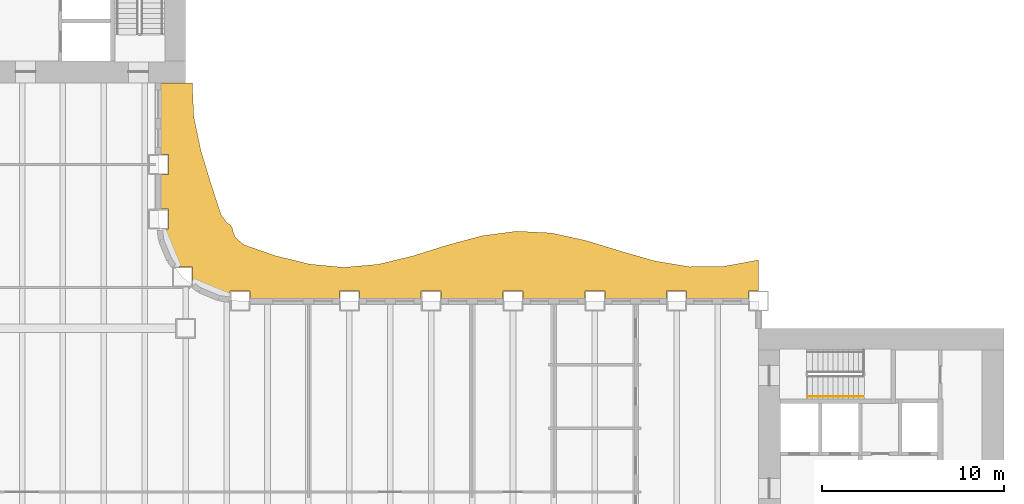
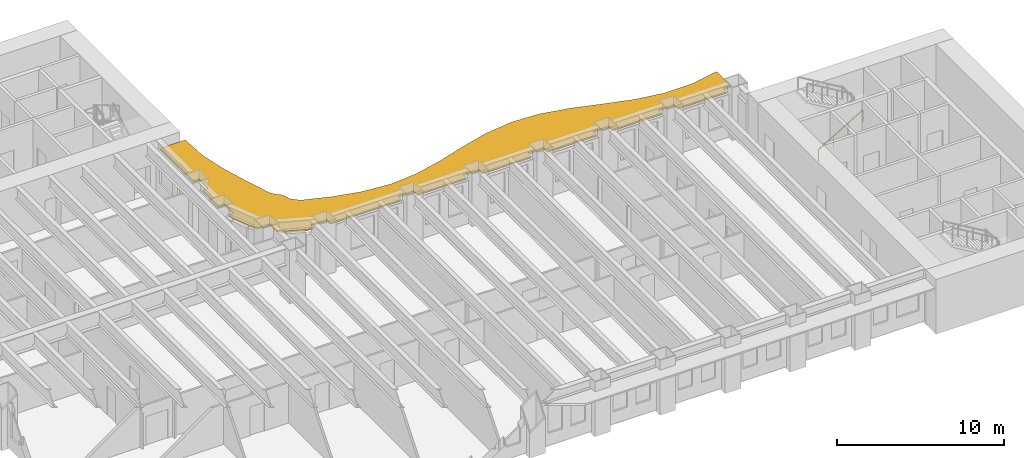
# One storey, part 13 of 15: 1 railing, 1 shading device.
"""IFC4 building model written with IfcOpenShell, lengths in metres."""

from ifc_helpers import new_model, si_unit, direction, frame, origin, origin_2d, place, context, subcontext, project, spatial, polyline, rectangle, outline, extrude, material, layer, layer_set, type_object, element, save


model = new_model("IFC4")

# Units and contexts
model_context = context("Model", 3, precision=1e-05, world=origin(), true_north=direction((0.0, 1.0)))
body_context = subcontext(model_context, "Body", "Model", "MODEL_VIEW")
ifc_project = project(units=[si_unit("LENGTHUNIT", "METRE"), si_unit("AREAUNIT", "SQUARE_METRE"), si_unit("VOLUMEUNIT", "CUBIC_METRE"), si_unit("PLANEANGLEUNIT", "RADIAN"), si_unit("MASSUNIT", "GRAM", prefix="KILO")], contexts=[model_context])

# Site, building, storey
site_placement = place(None, origin())
site = spatial("IfcSite", under=ifc_project, at=site_placement, CompositionType="ELEMENT")
building_placement = place(site_placement, origin())
building = spatial("IfcBuilding", under=site, at=building_placement, Name="Sennacour Bend Tower", CompositionType="ELEMENT")
storey_placement = place(building_placement, frame((0.0, 0.0, 41.0)))
storey = spatial("IfcBuildingStorey", under=building, at=storey_placement, Name="L08", CompositionType="ELEMENT", Elevation=41.0)

# Railing
ifc_material_1 = material(Name="Stainless steel", Category="steel")
railing_type = type_object("IfcRailingType", Name="RL-HANDRAIL-900", PredefinedType="HANDRAIL", material=ifc_material_1)
railing_placement = place(storey_placement, frame((56.699951171875, 18.75, 0.166748046875)))
element("IfcRailing", 1, at=railing_placement, inside=storey, type_object=railing_type, Name="L08 SA2 stair handrail 1", PredefinedType="HANDRAIL", context=body_context, shape_type="SweptSolid", body=[
    extrude(rectangle(XDim=0.048095703125, YDim=0.048095703125, at=origin_2d()), frame((0.0, 0.0, 0.8759765625), z_axis=(0.859308565015, 0.0, 0.511457515432), x_axis=(0.0, 1.0, 0.0)), (0.0, 0.0, 1.0), 3.58447265625),
    extrude(rectangle(XDim=0.0419921875, YDim=0.0419921875, at=origin_2d()), origin(), (0.0, 0.0, 1.0), 0.851806640625),
    extrude(rectangle(XDim=0.0419921875, YDim=0.0419921875, at=origin_2d()), frame((1.026611328125, 0.0, 0.611083984375)), (0.0, 0.0, 1.0), 0.851806640625),
    extrude(rectangle(XDim=0.0419921875, YDim=0.0419921875, at=origin_2d()), frame((2.053466796875, 0.0, 1.22216796875)), (0.0, 0.0, 1.0), 0.851806640625),
    extrude(rectangle(XDim=0.0419921875, YDim=0.0419921875, at=origin_2d()), frame((3.080078125, 0.0, 1.833251953125)), (0.0, 0.0, 1.0), 0.851806640625),
])

# Shading device
ifc_material_2 = material(Name="Bronze anodised aluminium", Category="aluminium")
ifc_layer = layer(ifc_material_2, 0.1201171875, Name="Bronze anodised aluminium", Category="aluminium")
ifc_layer_set = layer_set([ifc_layer], Name="Bronze anodised aluminium")
shading_device_type = type_object("IfcShadingDeviceType", Name="SUNSHADE BAND WAVE", PredefinedType="USERDEFINED", material=ifc_layer_set)
shading_device_placement = place(storey_placement, frame((0.0, 0.0, 3.02392578125)))
element("IfcShadingDevice", 2, at=shading_device_placement, inside=storey, type_object=shading_device_type, Name="Sunshade band L08 concave faces", ObjectType="SUNSHADE", PredefinedType="USERDEFINED", context=body_context, shape_type="SweptSolid", body=[
    extrude(outline(polyline([(53.449951171875, 24.14990234375), (50.050048828125, 24.14990234375), (50.050048828125, 24.550048828125), (48.949951171875, 24.550048828125), (48.949951171875, 24.14990234375), (45.550048828125, 24.14990234375), (45.550048828125, 24.550048828125), (44.449951171875, 24.550048828125), (44.449951171875, 24.14990234375), (41.050048828125, 24.14990234375), (41.050048828125, 24.550048828125), (39.949951171875, 24.550048828125), (39.949951171875, 24.14990234375), (36.550048828125, 24.14990234375), (36.550048828125, 24.550048828125), (35.449951171875, 24.550048828125), (35.449951171875, 24.14990234375), (32.050048828125, 24.14990234375), (32.050048828125, 24.550048828125), (30.949951171875, 24.550048828125), (30.949951171875, 24.14990234375), (26.050048828125, 24.14990234375), (26.050048828125, 24.550048828125), (24.949951171875, 24.550048828125), (24.949951171875, 24.2236328125), (24.37451171875, 24.299560546875), (23.32568359375, 24.73388671875), (22.8681640625, 25.0849609375), (22.8681640625, 25.8681640625), (22.0849609375, 25.8681640625), (21.73388671875, 26.32568359375), (21.299560546875, 27.37451171875), (21.2236328125, 27.949951171875), (21.550048828125, 27.949951171875), (21.550048828125, 29.050048828125), (21.14990234375, 29.050048828125), (21.14990234375, 30.949951171875), (21.550048828125, 30.949951171875), (21.550048828125, 32.050048828125), (21.14990234375, 32.050048828125), (21.14990234375, 36.0), (22.861572265625, 36.0), (22.946533203125, 34.125), (23.34228515625, 32.25), (23.912353515625, 30.375), (24.4609375, 28.726806640625), (24.765380859375, 28.302978515625), (24.95361328125, 28.1845703125), (25.048828125, 28.048828125), (25.10986328125, 27.82421875), (25.231201171875, 27.496337890625), (25.702880859375, 27.094970703125), (27.39990234375, 26.501953125), (29.300048828125, 26.03173828125), (31.199951171875, 25.85009765625), (33.10009765625, 26.02099609375), (35.0, 26.484130859375), (36.89990234375, 27.076416015625), (38.800048828125, 27.5888671875), (40.699951171875, 27.8408203125), (42.60009765625, 27.7431640625), (44.5, 27.33056640625), (46.39990234375, 26.74853515625), (48.300048828125, 26.202392578125), (50.199951171875, 25.884521484375), (52.10009765625, 25.906982421875), (54.0, 26.26220703125), (54.0, 24.550048828125), (53.449951171875, 24.550048828125), (53.449951171875, 24.14990234375)])), origin(), (0.0, 0.0, 1.0), 0.1201171875),
])

save(model, "model.ifc")
